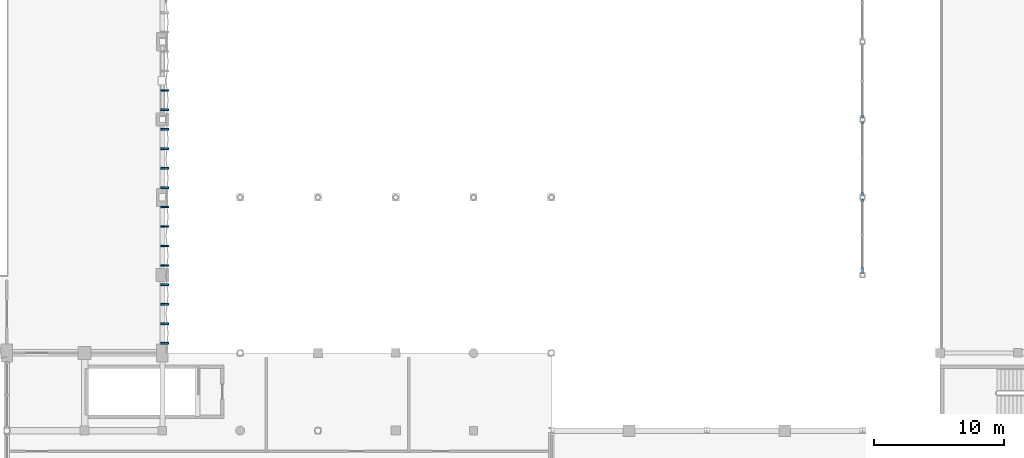
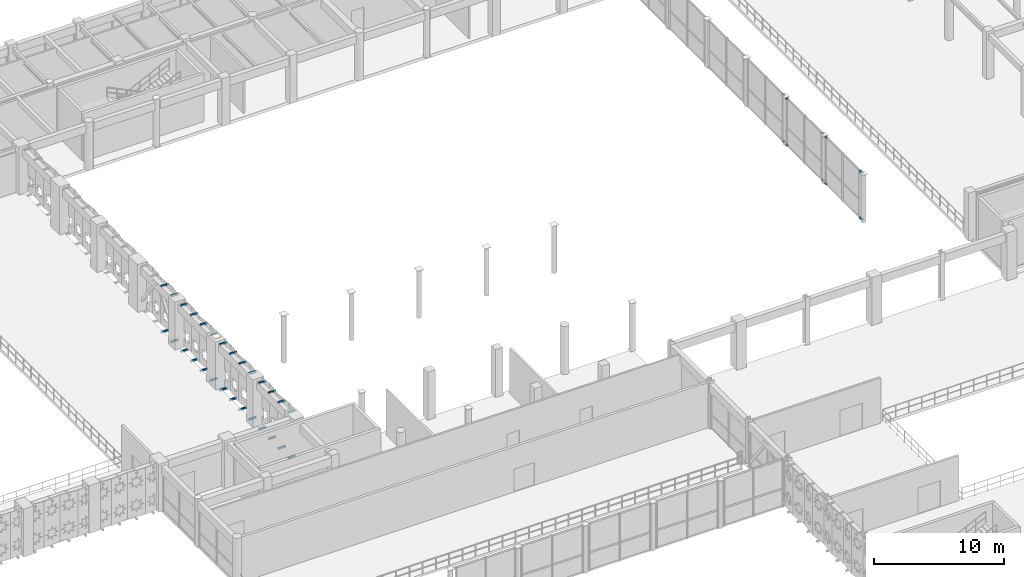
# One storey, part 102 of 116: 38 discrete accessories.
"""IFC4 building model written with IfcOpenShell, lengths in metres."""

import ifcopenshell
import ifcopenshell.guid

model = None  # the IFC model being written
_history = None  # IfcOwnerHistory: only IFC2X3 demands one
_inside = {}  # id of a spatial element -> (the spatial element, [elements in it])
_under = {}  # id of a project, library or spatial element -> (it, [spatial elements below it])
_declared = {}  # id of a project -> (the project, [libraries it declares])
_typed = {}  # id of a type object -> (the type object, [elements of that type])
_made_of = {}  # id of a material, layer set ... -> (it, [elements and type objects made of it])


def new_model(schema):
    """Start an empty IFC model of exactly this schema.

    Asked for "IFC4X3", IfcOpenShell would pick the latest addendum, in which some entities
    have other attributes; the version numbers below select the first issue.
    IFC2X3 requires an IfcOwnerHistory on every rooted entity: one is made here for all.
    """
    global model, _history
    if schema == "IFC4X3":
        model = ifcopenshell.file(schema_version=(4, 3, 0, 0))
    else:
        model = ifcopenshell.file(schema=schema)
    _inside.clear()
    _under.clear()
    _declared.clear()
    _typed.clear()
    _made_of.clear()
    _history = None
    if model.schema == "IFC2X3":
        org = make("IfcOrganization", Name="unknown")
        user = make(
            "IfcPersonAndOrganization",
            ThePerson=make("IfcPerson", FamilyName="unknown"),
            TheOrganization=org,
        )
        app = make(
            "IfcApplication",
            ApplicationDeveloper=org,
            Version="unknown",
            ApplicationFullName="unknown",
            ApplicationIdentifier="unknown",
        )
        _history = make(
            "IfcOwnerHistory",
            OwningUser=user,
            OwningApplication=app,
            ChangeAction="ADDED",
            CreationDate=0,
        )
    return model


def make(cls, **values):
    """One entity of the class cls with the attributes given. An attribute that is None is left unset."""
    return model.create_entity(
        cls, **{name: value for name, value in values.items() if value is not None}
    )


def rooted(cls, **values):
    """An entity with a GlobalId (a new one), such as an element, a storey or a relation."""
    return make(cls, GlobalId=ifcopenshell.guid.new(), OwnerHistory=_history, **values)


def si_unit(unit_type, name, prefix=None):
    """IfcSIUnit, for example si_unit("LENGTHUNIT", "METRE", prefix="MILLI")."""
    return make("IfcSIUnit", UnitType=unit_type, Prefix=prefix, Name=name)


def assignment(units):
    """IfcUnitAssignment: the units of a project."""
    return None if units is None else make("IfcUnitAssignment", Units=units)


def point(xyz):
    """IfcCartesianPoint."""
    return None if xyz is None else make("IfcCartesianPoint", Coordinates=xyz)


def direction(xyz):
    """IfcDirection."""
    return None if xyz is None else make("IfcDirection", DirectionRatios=xyz)


def frame(location, z_axis=None, x_axis=None):
    """IfcAxis2Placement3D, a coordinate frame: its origin and axes. An axis left out is left unset."""
    return make(
        "IfcAxis2Placement3D",
        Location=point(location),
        Axis=direction(z_axis),
        RefDirection=direction(x_axis),
    )


def frame_2d(location, x_axis=None):
    """IfcAxis2Placement2D, a coordinate frame in the plane: its origin and x axis."""
    return make(
        "IfcAxis2Placement2D", Location=point(location), RefDirection=direction(x_axis)
    )


def origin():
    """The frame at (0, 0, 0) with its axes left unset."""
    return frame((0.0, 0.0, 0.0))


def origin_2d():
    """The frame at (0, 0) in the plane with its x axis left unset."""
    return frame_2d((0.0, 0.0))


def place(relative_to, where):
    """IfcLocalPlacement: puts the frame where relative to a parent placement (None: the world)."""
    return make(
        "IfcLocalPlacement", PlacementRelTo=relative_to, RelativePlacement=where
    )


def context(
    kind, dimensions, precision=None, world=None, true_north=None, identifier=None
):
    """IfcGeometricRepresentationContext, for example the 3D "Model" context."""
    return make(
        "IfcGeometricRepresentationContext",
        ContextIdentifier=identifier,
        ContextType=kind,
        CoordinateSpaceDimension=dimensions,
        Precision=precision,
        WorldCoordinateSystem=world,
        TrueNorth=true_north,
    )


def subcontext(parent, identifier, kind, view, scale=None):
    """IfcGeometricRepresentationSubContext, for example "Body" below "Model"."""
    return make(
        "IfcGeometricRepresentationSubContext",
        ContextIdentifier=identifier,
        ContextType=kind,
        ParentContext=parent,
        TargetScale=scale,
        TargetView=view,
    )


def project(units=None, contexts=None):
    """IfcProject with its units and contexts."""
    return rooted(
        "IfcProject",
        Name="project",
        RepresentationContexts=contexts,
        UnitsInContext=assignment(units),
    )


def spatial(cls, under=None, at=None, **own):
    """A site, building, storey or space (cls), placed at a placement, below another one or the project."""
    s = rooted(cls, ObjectPlacement=at, **own)
    if under is not None:
        _under.setdefault(under.id(), (under, []))[1].append(s)
    return s


def profile(cls, at=None, kind="AREA", **sizes):
    """A parametric profile (cls). Its sizes go by their IFC names, for example OverallWidth=200.0."""
    return make(cls, ProfileType=kind, Position=at, **sizes)


def rectangle(**sizes):
    """IfcRectangleProfileDef."""
    return profile("IfcRectangleProfileDef", **sizes)


def extrude(swept, where, along, depth):
    """IfcExtrudedAreaSolid: the profile swept, set in the frame where, extruded along a direction by depth."""
    return make(
        "IfcExtrudedAreaSolid",
        SweptArea=swept,
        Position=where,
        ExtrudedDirection=direction(along),
        Depth=depth,
    )


def shape(context_of_items, identifier, shape_type, items):
    """IfcShapeRepresentation: the items that make up one representation, for example the "Body"."""
    return make(
        "IfcShapeRepresentation",
        ContextOfItems=context_of_items,
        RepresentationIdentifier=identifier,
        RepresentationType=shape_type,
        Items=items,
    )


def material(Name=None, Category=None):
    """IfcMaterial."""
    return make("IfcMaterial", Name=Name, Category=Category)


def made_of(thing, what):
    """Note that an element or type object is made of a material, layer set ...; save() writes the relation."""
    if what is not None:
        _made_of.setdefault(what.id(), (what, []))[1].append(thing)
    return thing


def type_object(cls, material=None, **own):
    """A type object (cls), such as IfcWallType, which elements share."""
    return made_of(rooted(cls, **own), material)


def element(
    cls,
    number,
    at=None,
    inside=None,
    cuts=None,
    type_object=None,
    material=None,
    context=None,
    identifier="Body",
    shape_type=None,
    held_by="IfcProductDefinitionShape",
    body=None,
    shapes=None,
    **own,
):
    """One element of the class cls, such as IfcWall. Its Tag is "e" and its number.

    at: its placement. inside: the storey or other place that contains it. cuts: it is an
    opening in that element (IfcRelVoidsElement). A single representation is given by context,
    identifier, shape_type and body (its items); several are given by shapes. held_by: the class
    of the entity that holds the representations. save() writes the other relations.
    """
    e = rooted(cls, Tag="e%d" % number, ObjectPlacement=at, **own)
    if body is not None:
        shapes = [shape(context, identifier, shape_type, body)]
    if shapes is not None:
        e.Representation = make(held_by, Representations=shapes)
    if inside is not None:
        _inside.setdefault(inside.id(), (inside, []))[1].append(e)
    if cuts is not None:
        rooted(
            "IfcRelVoidsElement", RelatingBuildingElement=cuts, RelatedOpeningElement=e
        )
    if type_object is not None:
        _typed.setdefault(type_object.id(), (type_object, []))[1].append(e)
    return made_of(e, material)


def aggregate(whole, parts):
    """IfcRelAggregates: a whole, such as a stair, and the parts it consists of."""
    return rooted("IfcRelAggregates", RelatingObject=whole, RelatedObjects=parts)


def save(model, path):
    """Write the relations noted so far, then the file.

    IfcRelAggregates (storeys below a building ...), IfcRelContainedInSpatialStructure (elements
    in a storey), IfcRelDefinesByType, IfcRelAssociatesMaterial and IfcRelDeclares: one each for
    every whole, place, type object, material and project.
    """
    for whole, parts in _under.values():
        aggregate(whole, parts)
    for where, things in _inside.values():
        rooted(
            "IfcRelContainedInSpatialStructure",
            RelatedElements=things,
            RelatingStructure=where,
        )
    for kind, things in _typed.values():
        rooted("IfcRelDefinesByType", RelatedObjects=things, RelatingType=kind)
    for what, things in _made_of.values():
        rooted("IfcRelAssociatesMaterial", RelatedObjects=things, RelatingMaterial=what)
    for by, libraries in _declared.values():
        rooted("IfcRelDeclares", RelatingContext=by, RelatedDefinitions=libraries)
    model.write(path)


model = new_model("IFC4")

# Units and contexts
model_context = context("Model", 3, precision=1e-05, world=origin(), true_north=direction((0.0, 1.0)))
body_context = subcontext(model_context, "Body", "Model", "MODEL_VIEW")
ifc_project = project(units=[si_unit("LENGTHUNIT", "METRE"), si_unit("AREAUNIT", "SQUARE_METRE"), si_unit("VOLUMEUNIT", "CUBIC_METRE"), si_unit("PLANEANGLEUNIT", "RADIAN"), si_unit("MASSUNIT", "GRAM", prefix="KILO"), si_unit("THERMODYNAMICTEMPERATUREUNIT", "KELVIN"), si_unit("POWERUNIT", "WATT")], contexts=[model_context])

# Site, building, storey
site_placement = place(None, origin())
site = spatial("IfcSite", under=ifc_project, at=site_placement, CompositionType="ELEMENT")
building_placement = place(site_placement, origin())
building = spatial("IfcBuilding", under=site, at=building_placement, Name="Phaisarnlok Congress Hotel", CompositionType="ELEMENT")
storey_placement = place(building_placement, frame((0.0, 0.0, 10.5)))
storey = spatial("IfcBuildingStorey", under=building, at=storey_placement, Name="L02", CompositionType="ELEMENT", Elevation=10.5)

# Discrete accessories
ifc_material = material(Name="Steel S355", Category="steel")
discrete_accessory_type = type_object("IfcDiscreteAccessoryType", Name="ACC-BRK-STL", PredefinedType="BRACKET", material=ifc_material)
for number, where, z_axis, x_axis, name in (
    (1, (120.0, 48.360107421875, 0.0), (0.0, 0.0, 1.0), (1.0, 0.0, 0.0), "Curtain wall steel jamb spider bracket BK-01"),
    (2, (120.0, 48.360107421875, 4.35986328125), (0.0, 0.0, 1.0), (1.0, 0.0, 0.0), "Curtain wall steel jamb spider bracket BK-01"),
):
    element("IfcDiscreteAccessory", number, at=place(storey_placement, frame(where, z_axis=z_axis, x_axis=x_axis)), inside=storey, type_object=discrete_accessory_type, Name=name, PredefinedType="BRACKET", context=body_context, shape_type="SweptSolid", body=[
        extrude(rectangle(XDim=0.159912109375, YDim=0.43994140625, at=origin_2d()), origin(), (0.0, 0.0, 1.0), 0.139892578125),
    ])
for number, where, z_axis, x_axis, name in (
    (3, (120.0, 53.75, 0.0), (0.0, 0.0, 1.0), (1.0, 0.0, 0.0), "Curtain wall steel jamb spider bracket BK-01"),
    (4, (120.0, 53.75, 4.35986328125), (0.0, 0.0, 1.0), (1.0, 0.0, 0.0), "Curtain wall steel jamb spider bracket BK-01"),
    (5, (120.0, 54.25, 0.0), (0.0, 0.0, 1.0), (1.0, 0.0, 0.0), "Curtain wall steel jamb spider bracket BK-01"),
    (6, (120.0, 54.25, 4.35986328125), (0.0, 0.0, 1.0), (1.0, 0.0, 0.0), "Curtain wall steel jamb spider bracket BK-01"),
    (7, (120.0, 59.75, 0.0), (0.0, 0.0, 1.0), (1.0, 0.0, 0.0), "Curtain wall steel jamb spider bracket BK-01"),
    (8, (120.0, 59.75, 4.35986328125), (0.0, 0.0, 1.0), (1.0, 0.0, 0.0), "Curtain wall steel jamb spider bracket BK-01"),
    (9, (120.0, 60.25, 0.0), (0.0, 0.0, 1.0), (1.0, 0.0, 0.0), "Curtain wall steel jamb spider bracket BK-01"),
    (10, (120.0, 60.25, 4.35986328125), (0.0, 0.0, 1.0), (1.0, 0.0, 0.0), "Curtain wall steel jamb spider bracket BK-01"),
):
    element("IfcDiscreteAccessory", number, at=place(storey_placement, frame(where, z_axis=z_axis, x_axis=x_axis)), inside=storey, type_object=discrete_accessory_type, Name=name, PredefinedType="BRACKET", context=body_context, shape_type="SweptSolid", body=[
        extrude(rectangle(XDim=0.159912109375, YDim=0.219970703125, at=origin_2d()), origin(), (0.0, 0.0, 1.0), 0.139892578125),
    ])
for number, where, z_axis, x_axis, name in (
    (11, (66.183837890625, 42.75, -0.18017578125), (0.0, 0.0, 1.0), (1.0, 0.0, 0.0), "Solar screen steel outrigger bracket BK-01"),
    (12, (66.183837890625, 42.75, 4.1201171875), (0.0, 0.0, 1.0), (1.0, 0.0, 0.0), "Solar screen steel outrigger bracket BK-01"),
    (13, (66.183837890625, 44.25, -0.18017578125), (0.0, 0.0, 1.0), (1.0, 0.0, 0.0), "Solar screen steel outrigger bracket BK-01"),
    (14, (66.183837890625, 44.25, 4.1201171875), (0.0, 0.0, 1.0), (1.0, 0.0, 0.0), "Solar screen steel outrigger bracket BK-01"),
    (15, (66.183837890625, 45.75, -0.18017578125), (0.0, 0.0, 1.0), (1.0, 0.0, 0.0), "Solar screen steel outrigger bracket BK-01"),
    (16, (66.183837890625, 45.75, 4.1201171875), (0.0, 0.0, 1.0), (1.0, 0.0, 0.0), "Solar screen steel outrigger bracket BK-01"),
    (17, (66.183837890625, 47.25, -0.18017578125), (0.0, 0.0, 1.0), (1.0, 0.0, 0.0), "Solar screen steel outrigger bracket BK-01"),
    (18, (66.183837890625, 47.25, 4.1201171875), (0.0, 0.0, 1.0), (1.0, 0.0, 0.0), "Solar screen steel outrigger bracket BK-01"),
    (19, (66.183837890625, 48.75, -0.18017578125), (0.0, 0.0, 1.0), (1.0, 0.0, 0.0), "Solar screen steel outrigger bracket BK-01"),
    (20, (66.183837890625, 48.75, 4.1201171875), (0.0, 0.0, 1.0), (1.0, 0.0, 0.0), "Solar screen steel outrigger bracket BK-01"),
    (21, (66.183837890625, 50.25, -0.18017578125), (0.0, 0.0, 1.0), (1.0, 0.0, 0.0), "Solar screen steel outrigger bracket BK-01"),
    (22, (66.183837890625, 50.25, 4.1201171875), (0.0, 0.0, 1.0), (1.0, 0.0, 0.0), "Solar screen steel outrigger bracket BK-01"),
    (23, (66.183837890625, 51.75, -0.18017578125), (0.0, 0.0, 1.0), (1.0, 0.0, 0.0), "Solar screen steel outrigger bracket BK-01"),
    (24, (66.183837890625, 51.75, 4.1201171875), (0.0, 0.0, 1.0), (1.0, 0.0, 0.0), "Solar screen steel outrigger bracket BK-01"),
    (25, (66.183837890625, 53.25, -0.18017578125), (0.0, 0.0, 1.0), (1.0, 0.0, 0.0), "Solar screen steel outrigger bracket BK-01"),
    (26, (66.183837890625, 53.25, 4.1201171875), (0.0, 0.0, 1.0), (1.0, 0.0, 0.0), "Solar screen steel outrigger bracket BK-01"),
    (27, (66.183837890625, 54.75, -0.18017578125), (0.0, 0.0, 1.0), (1.0, 0.0, 0.0), "Solar screen steel outrigger bracket BK-01"),
    (28, (66.183837890625, 54.75, 4.1201171875), (0.0, 0.0, 1.0), (1.0, 0.0, 0.0), "Solar screen steel outrigger bracket BK-01"),
    (29, (66.183837890625, 56.25, -0.18017578125), (0.0, 0.0, 1.0), (1.0, 0.0, 0.0), "Solar screen steel outrigger bracket BK-01"),
    (30, (66.183837890625, 56.25, 4.1201171875), (0.0, 0.0, 1.0), (1.0, 0.0, 0.0), "Solar screen steel outrigger bracket BK-01"),
    (31, (66.183837890625, 57.75, -0.18017578125), (0.0, 0.0, 1.0), (1.0, 0.0, 0.0), "Solar screen steel outrigger bracket BK-01"),
    (32, (66.183837890625, 57.75, 4.1201171875), (0.0, 0.0, 1.0), (1.0, 0.0, 0.0), "Solar screen steel outrigger bracket BK-01"),
    (33, (66.183837890625, 59.25, -0.18017578125), (0.0, 0.0, 1.0), (1.0, 0.0, 0.0), "Solar screen steel outrigger bracket BK-01"),
    (34, (66.183837890625, 59.25, 4.1201171875), (0.0, 0.0, 1.0), (1.0, 0.0, 0.0), "Solar screen steel outrigger bracket BK-01"),
    (35, (66.183837890625, 60.75, -0.18017578125), (0.0, 0.0, 1.0), (1.0, 0.0, 0.0), "Solar screen steel outrigger bracket BK-01"),
    (36, (66.183837890625, 60.75, 4.1201171875), (0.0, 0.0, 1.0), (1.0, 0.0, 0.0), "Solar screen steel outrigger bracket BK-01"),
    (37, (66.183837890625, 62.25, -0.18017578125), (0.0, 0.0, 1.0), (1.0, 0.0, 0.0), "Solar screen steel outrigger bracket BK-01"),
    (38, (66.183837890625, 62.25, 4.1201171875), (0.0, 0.0, 1.0), (1.0, 0.0, 0.0), "Solar screen steel outrigger bracket BK-01"),
):
    element("IfcDiscreteAccessory", number, at=place(storey_placement, frame(where, z_axis=z_axis, x_axis=x_axis)), inside=storey, type_object=discrete_accessory_type, Name=name, PredefinedType="BRACKET", context=body_context, shape_type="SweptSolid", body=[
        extrude(rectangle(XDim=0.647705078125, YDim=0.139892578125, at=origin_2d()), origin(), (0.0, 0.0, 1.0), 0.159912109375),
    ])

save(model, "model.ifc")
